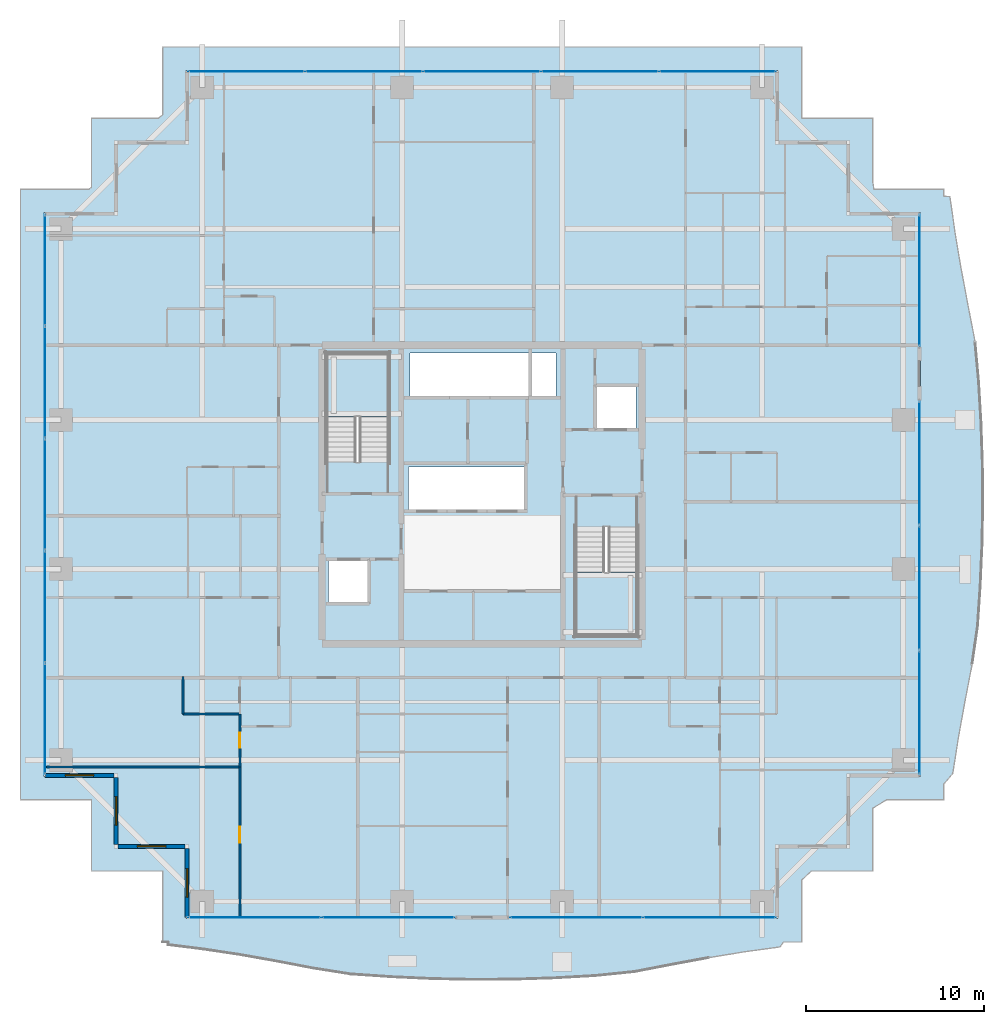
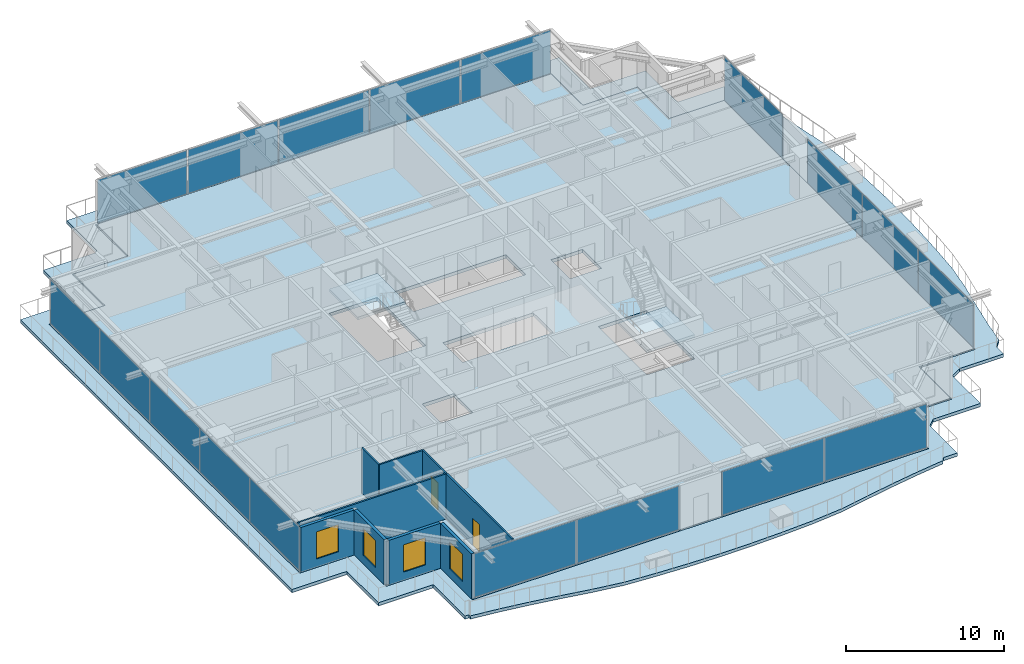
# One storey, part 25 of 36: 18 plates, 9 walls, 4 slabs, 4 windows, 2 doors, 6 openings, 8 elements without a shape of their own.
"""IFC4 building model written with IfcOpenShell, lengths in metres."""

import ifcopenshell
import ifcopenshell.guid

model = None  # the IFC model being written
_history = None  # IfcOwnerHistory: only IFC2X3 demands one
_inside = {}  # id of a spatial element -> (the spatial element, [elements in it])
_under = {}  # id of a project, library or spatial element -> (it, [spatial elements below it])
_declared = {}  # id of a project -> (the project, [libraries it declares])
_typed = {}  # id of a type object -> (the type object, [elements of that type])
_made_of = {}  # id of a material, layer set ... -> (it, [elements and type objects made of it])


def new_model(schema):
    """Start an empty IFC model of exactly this schema.

    Asked for "IFC4X3", IfcOpenShell would pick the latest addendum, in which some entities
    have other attributes; the version numbers below select the first issue.
    IFC2X3 requires an IfcOwnerHistory on every rooted entity: one is made here for all.
    """
    global model, _history
    if schema == "IFC4X3":
        model = ifcopenshell.file(schema_version=(4, 3, 0, 0))
    else:
        model = ifcopenshell.file(schema=schema)
    _inside.clear()
    _under.clear()
    _declared.clear()
    _typed.clear()
    _made_of.clear()
    _history = None
    if model.schema == "IFC2X3":
        org = make("IfcOrganization", Name="unknown")
        user = make(
            "IfcPersonAndOrganization",
            ThePerson=make("IfcPerson", FamilyName="unknown"),
            TheOrganization=org,
        )
        app = make(
            "IfcApplication",
            ApplicationDeveloper=org,
            Version="unknown",
            ApplicationFullName="unknown",
            ApplicationIdentifier="unknown",
        )
        _history = make(
            "IfcOwnerHistory",
            OwningUser=user,
            OwningApplication=app,
            ChangeAction="ADDED",
            CreationDate=0,
        )
    return model


def make(cls, **values):
    """One entity of the class cls with the attributes given. An attribute that is None is left unset."""
    return model.create_entity(
        cls, **{name: value for name, value in values.items() if value is not None}
    )


def rooted(cls, **values):
    """An entity with a GlobalId (a new one), such as an element, a storey or a relation."""
    return make(cls, GlobalId=ifcopenshell.guid.new(), OwnerHistory=_history, **values)


def si_unit(unit_type, name, prefix=None):
    """IfcSIUnit, for example si_unit("LENGTHUNIT", "METRE", prefix="MILLI")."""
    return make("IfcSIUnit", UnitType=unit_type, Prefix=prefix, Name=name)


def assignment(units):
    """IfcUnitAssignment: the units of a project."""
    return None if units is None else make("IfcUnitAssignment", Units=units)


def point(xyz):
    """IfcCartesianPoint."""
    return None if xyz is None else make("IfcCartesianPoint", Coordinates=xyz)


def direction(xyz):
    """IfcDirection."""
    return None if xyz is None else make("IfcDirection", DirectionRatios=xyz)


def frame(location, z_axis=None, x_axis=None):
    """IfcAxis2Placement3D, a coordinate frame: its origin and axes. An axis left out is left unset."""
    return make(
        "IfcAxis2Placement3D",
        Location=point(location),
        Axis=direction(z_axis),
        RefDirection=direction(x_axis),
    )


def frame_2d(location, x_axis=None):
    """IfcAxis2Placement2D, a coordinate frame in the plane: its origin and x axis."""
    return make(
        "IfcAxis2Placement2D", Location=point(location), RefDirection=direction(x_axis)
    )


def origin():
    """The frame at (0, 0, 0) with its axes left unset."""
    return frame((0.0, 0.0, 0.0))


def origin_2d():
    """The frame at (0, 0) in the plane with its x axis left unset."""
    return frame_2d((0.0, 0.0))


def place(relative_to, where):
    """IfcLocalPlacement: puts the frame where relative to a parent placement (None: the world)."""
    return make(
        "IfcLocalPlacement", PlacementRelTo=relative_to, RelativePlacement=where
    )


def context(
    kind, dimensions, precision=None, world=None, true_north=None, identifier=None
):
    """IfcGeometricRepresentationContext, for example the 3D "Model" context."""
    return make(
        "IfcGeometricRepresentationContext",
        ContextIdentifier=identifier,
        ContextType=kind,
        CoordinateSpaceDimension=dimensions,
        Precision=precision,
        WorldCoordinateSystem=world,
        TrueNorth=true_north,
    )


def subcontext(parent, identifier, kind, view, scale=None):
    """IfcGeometricRepresentationSubContext, for example "Body" below "Model"."""
    return make(
        "IfcGeometricRepresentationSubContext",
        ContextIdentifier=identifier,
        ContextType=kind,
        ParentContext=parent,
        TargetScale=scale,
        TargetView=view,
    )


def project(units=None, contexts=None):
    """IfcProject with its units and contexts."""
    return rooted(
        "IfcProject",
        Name="project",
        RepresentationContexts=contexts,
        UnitsInContext=assignment(units),
    )


def spatial(cls, under=None, at=None, **own):
    """A site, building, storey or space (cls), placed at a placement, below another one or the project."""
    s = rooted(cls, ObjectPlacement=at, **own)
    if under is not None:
        _under.setdefault(under.id(), (under, []))[1].append(s)
    return s


def polyline(points):
    """IfcPolyline through the points."""
    return make("IfcPolyline", Points=[point(p) for p in points])


def profile(cls, at=None, kind="AREA", **sizes):
    """A parametric profile (cls). Its sizes go by their IFC names, for example OverallWidth=200.0."""
    return make(cls, ProfileType=kind, Position=at, **sizes)


def rectangle(**sizes):
    """IfcRectangleProfileDef."""
    return profile("IfcRectangleProfileDef", **sizes)


def outline(outer, holes=None, kind="AREA"):
    """IfcArbitraryClosedProfileDef: a profile drawn as a closed curve; with holes, ...WithVoids."""
    if holes is None:
        return make("IfcArbitraryClosedProfileDef", ProfileType=kind, OuterCurve=outer)
    return make(
        "IfcArbitraryProfileDefWithVoids",
        ProfileType=kind,
        OuterCurve=outer,
        InnerCurves=holes,
    )


def extrude(swept, where, along, depth):
    """IfcExtrudedAreaSolid: the profile swept, set in the frame where, extruded along a direction by depth."""
    return make(
        "IfcExtrudedAreaSolid",
        SweptArea=swept,
        Position=where,
        ExtrudedDirection=direction(along),
        Depth=depth,
    )


def shape(context_of_items, identifier, shape_type, items):
    """IfcShapeRepresentation: the items that make up one representation, for example the "Body"."""
    return make(
        "IfcShapeRepresentation",
        ContextOfItems=context_of_items,
        RepresentationIdentifier=identifier,
        RepresentationType=shape_type,
        Items=items,
    )


def source(mapping_origin, context_of_items, identifier, shape_type, items):
    """IfcRepresentationMap: a shape defined once, which mapped items show again and again."""
    return make(
        "IfcRepresentationMap",
        MappingOrigin=mapping_origin,
        MappedRepresentation=shape(context_of_items, identifier, shape_type, items),
    )


def transform(
    local_origin,
    x_axis=None,
    y_axis=None,
    z_axis=None,
    scale=None,
    scale2=None,
    scale3=None,
    uniform=True,
):
    """IfcCartesianTransformationOperator3D, or its non-uniform kind. x_axis, y_axis, z_axis: its Axis1, 2, 3."""
    if uniform:
        return make(
            "IfcCartesianTransformationOperator3D",
            Axis1=direction(x_axis),
            Axis2=direction(y_axis),
            LocalOrigin=point(local_origin),
            Scale=scale,
            Axis3=direction(z_axis),
        )
    return make(
        "IfcCartesianTransformationOperator3DnonUniform",
        Axis1=direction(x_axis),
        Axis2=direction(y_axis),
        LocalOrigin=point(local_origin),
        Scale=scale,
        Axis3=direction(z_axis),
        Scale2=scale2,
        Scale3=scale3,
    )


def mapped(mapping_source, mapping_target):
    """IfcMappedItem: shows the shape of a source again, moved by a transform."""
    return make(
        "IfcMappedItem", MappingSource=mapping_source, MappingTarget=mapping_target
    )


def material(Name=None, Category=None):
    """IfcMaterial."""
    return make("IfcMaterial", Name=Name, Category=Category)


def layer(
    of_material, thickness, ventilated=None, Name=None, Category=None, Priority=None
):
    """IfcMaterialLayer: one layer of a wall or slab, of a material (None: an air gap)."""
    return make(
        "IfcMaterialLayer",
        Material=of_material,
        LayerThickness=thickness,
        IsVentilated=ventilated,
        Name=Name,
        Category=Category,
        Priority=Priority,
    )


def layer_set(layers, Name=None):
    """IfcMaterialLayerSet."""
    return make("IfcMaterialLayerSet", MaterialLayers=layers, LayerSetName=Name)


def made_of(thing, what):
    """Note that an element or type object is made of a material, layer set ...; save() writes the relation."""
    if what is not None:
        _made_of.setdefault(what.id(), (what, []))[1].append(thing)
    return thing


def type_object(cls, material=None, **own):
    """A type object (cls), such as IfcWallType, which elements share."""
    return made_of(rooted(cls, **own), material)


def element(
    cls,
    number,
    at=None,
    inside=None,
    cuts=None,
    type_object=None,
    material=None,
    context=None,
    identifier="Body",
    shape_type=None,
    held_by="IfcProductDefinitionShape",
    body=None,
    shapes=None,
    **own,
):
    """One element of the class cls, such as IfcWall. Its Tag is "e" and its number.

    at: its placement. inside: the storey or other place that contains it. cuts: it is an
    opening in that element (IfcRelVoidsElement). A single representation is given by context,
    identifier, shape_type and body (its items); several are given by shapes. held_by: the class
    of the entity that holds the representations. save() writes the other relations.
    """
    e = rooted(cls, Tag="e%d" % number, ObjectPlacement=at, **own)
    if body is not None:
        shapes = [shape(context, identifier, shape_type, body)]
    if shapes is not None:
        e.Representation = make(held_by, Representations=shapes)
    if inside is not None:
        _inside.setdefault(inside.id(), (inside, []))[1].append(e)
    if cuts is not None:
        rooted(
            "IfcRelVoidsElement", RelatingBuildingElement=cuts, RelatedOpeningElement=e
        )
    if type_object is not None:
        _typed.setdefault(type_object.id(), (type_object, []))[1].append(e)
    return made_of(e, material)


def fill(opening, filler):
    """IfcRelFillsElement: the door or window that sits in an opening."""
    return rooted(
        "IfcRelFillsElement",
        RelatingOpeningElement=opening,
        RelatedBuildingElement=filler,
    )


def aggregate(whole, parts):
    """IfcRelAggregates: a whole, such as a stair, and the parts it consists of."""
    return rooted("IfcRelAggregates", RelatingObject=whole, RelatedObjects=parts)


def save(model, path):
    """Write the relations noted so far, then the file.

    IfcRelAggregates (storeys below a building ...), IfcRelContainedInSpatialStructure (elements
    in a storey), IfcRelDefinesByType, IfcRelAssociatesMaterial and IfcRelDeclares: one each for
    every whole, place, type object, material and project.
    """
    for whole, parts in _under.values():
        aggregate(whole, parts)
    for where, things in _inside.values():
        rooted(
            "IfcRelContainedInSpatialStructure",
            RelatedElements=things,
            RelatingStructure=where,
        )
    for kind, things in _typed.values():
        rooted("IfcRelDefinesByType", RelatedObjects=things, RelatingType=kind)
    for what, things in _made_of.values():
        rooted("IfcRelAssociatesMaterial", RelatedObjects=things, RelatingMaterial=what)
    for by, libraries in _declared.values():
        rooted("IfcRelDeclares", RelatingContext=by, RelatedDefinitions=libraries)
    model.write(path)


model = new_model("IFC4")

# Units and contexts
model_context = context("Model", 3, precision=1e-05, world=origin(), true_north=direction((0.0, 1.0)))
body_context = subcontext(model_context, "Body", "Model", "MODEL_VIEW")
ifc_project = project(units=[si_unit("LENGTHUNIT", "METRE"), si_unit("AREAUNIT", "SQUARE_METRE"), si_unit("VOLUMEUNIT", "CUBIC_METRE"), si_unit("PLANEANGLEUNIT", "RADIAN"), si_unit("MASSUNIT", "GRAM", prefix="KILO")], contexts=[model_context])

# Site, building, storey
site_placement = place(None, origin())
site = spatial("IfcSite", under=ifc_project, at=site_placement, CompositionType="ELEMENT")
building_placement = place(site_placement, origin())
building = spatial("IfcBuilding", under=site, at=building_placement, Name="Serunith Strait Residences", CompositionType="ELEMENT")
storey_placement = place(building_placement, frame((0.0, 0.0, 131.39990234375)))
storey = spatial("IfcBuildingStorey", under=building, at=storey_placement, Name="L32", CompositionType="ELEMENT", Elevation=131.39990234375)

# Slab
ifc_material_1 = material(Name="Concrete C50/60", Category="concrete")
ifc_layer_1 = layer(ifc_material_1, 0.239990234375, Name="Concrete C50/60")
ifc_layer_set_1 = layer_set([ifc_layer_1], Name="Concrete C50/60")
slab_type_1 = type_object("IfcSlabType", Name="SLB-BALC-240", PredefinedType="FLOOR", material=ifc_layer_set_1)
slab_1_placement = place(storey_placement, frame((0.0, 0.0, -0.289794921875)))
element("IfcSlab", 1, at=slab_1_placement, inside=storey, type_object=slab_type_1, Name="L32 Planted Vertical-Forest Balcony Slab", PredefinedType="FLOOR", context=body_context, shape_type="SweptSolid", body=[
    extrude(outline(polyline([(14.419921875, 0.02001953125), (14.419921875, 4.02001953125), (10.419921875, 4.02001953125), (10.419921875, 8.02001953125), (6.419921875, 8.02001953125), (6.419921875, 42.3798828125), (10.284912109375, 42.3798828125), (10.419921875, 42.47802734375), (10.419921875, 46.3798828125), (14.1982421875, 46.3798828125), (14.419921875, 46.55908203125), (14.419921875, 50.3798828125), (50.3798828125, 50.3798828125), (50.3798828125, 46.3798828125), (54.3798828125, 46.3798828125), (54.3798828125, 42.786376953125), (54.440673828125, 42.3798828125), (58.3798828125, 42.3798828125), (58.3798828125, 41.981689453125), (58.720703125, 41.96240234375), (59.00439453125, 39.962158203125), (59.34423828125, 37.94189453125), (59.730712890625, 35.884033203125), (60.139892578125, 33.77001953125), (60.34228515625, 31.5419921875), (60.475341796875, 29.2705078125), (60.5556640625, 26.97412109375), (60.575439453125, 24.66552734375), (60.532470703125, 22.360107421875), (60.431396484375, 20.072265625), (60.281494140625, 17.81396484375), (59.966796875, 15.6376953125), (59.563720703125, 13.550537109375), (59.195556640625, 11.51171875), (58.879638671875, 9.50244140625), (58.3798828125, 8.919921875), (58.3798828125, 8.02001953125), (55.162841796875, 8.02001953125), (54.3798828125, 7.553955078125), (54.3798828125, 4.02001953125), (50.922119140625, 4.02001953125), (50.3798828125, 3.5), (50.3798828125, 0.02001953125), (49.3544921875, 0.02001953125), (49.156494140625, -0.255859375), (47.156982421875, -0.52978515625), (45.138916015625, -0.86181640625), (43.084716796875, -1.242919921875), (40.97412109375, -1.650390625), (38.751953125, -1.876220703125), (36.476806640625, -2.00439453125), (34.176513671875, -2.079345703125), (31.86474609375, -2.09326171875), (29.55712890625, -2.044921875), (27.268798828125, -1.939208984375), (25.010986328125, -1.7861328125), (22.846923828125, -1.44384765625), (20.76611328125, -1.044921875), (18.731689453125, -0.686279296875), (16.724365234375, -0.3828125), (14.728271484375, -0.13671875), (14.7294921875, 0.02001953125), (14.419921875, 0.02001953125)]), holes=[polyline([(49.054931640625, 1.344970703125), (49.054931640625, 5.344970703125), (53.054931640625, 5.344970703125), (53.054931640625, 9.344970703125), (57.054931640625, 9.344970703125), (57.054931640625, 41.054931640625), (53.054931640625, 41.054931640625), (53.054931640625, 45.054931640625), (49.054931640625, 45.054931640625), (49.054931640625, 49.054931640625), (15.7451171875, 49.054931640625), (15.7451171875, 45.054931640625), (11.7451171875, 45.054931640625), (11.7451171875, 41.054931640625), (7.7451171875, 41.054931640625), (7.7451171875, 9.344970703125), (11.7451171875, 9.344970703125), (11.7451171875, 5.344970703125), (15.7451171875, 5.344970703125), (15.7451171875, 1.344970703125), (49.054931640625, 1.344970703125)])]), origin(), (0.0, 0.0, 1.0), 0.239990234375),
])

# Stair, slab
stair_type_1 = type_object("IfcStairType", Name="STR-CORE-1", PredefinedType="HALF_TURN_STAIR", material=ifc_material_1)
stair_1_placement = place(storey_placement, origin())
stair_1 = element("IfcStair", 2, at=stair_1_placement, inside=storey, type_object=stair_type_1, Name="L32 Protected Escape Stair ST-1", PredefinedType="HALF_TURN_STAIR")
ifc_layer_2 = layer(ifc_material_1, 0.199951171875, Name="Concrete C50/60")
ifc_layer_set_2 = layer_set([ifc_layer_2], Name="Concrete C50/60")
slab_type_2 = type_object("IfcSlabType", Name="SLB-LAND-200", PredefinedType="LANDING", material=ifc_layer_set_2)
slab_2_placement = place(storey_placement, frame((0.0, 0.0, 1.675048828125)))
slab_2 = element("IfcSlab", 3, at=slab_2_placement, type_object=slab_type_2, Name="ST-1 landing 1", PredefinedType="LANDING", context=body_context, shape_type="SweptSolid", body=[
    extrude(outline(polyline([(27.14990234375, 29.550048828125), (27.14990234375, 33.14990234375), (23.64990234375, 33.14990234375), (23.64990234375, 29.550048828125), (27.14990234375, 29.550048828125)])), origin(), (0.0, 0.0, 1.0), 0.199951171875),
])
aggregate(stair_1, [slab_2])

stair_type_2 = type_object("IfcStairType", Name="STR-CORE-2", PredefinedType="HALF_TURN_STAIR", material=ifc_material_1)
stair_2_placement = place(storey_placement, origin())
stair_2 = element("IfcStair", 4, at=stair_2_placement, inside=storey, type_object=stair_type_2, Name="L32 Protected Escape Stair ST-2", PredefinedType="HALF_TURN_STAIR")
slab_3_placement = place(storey_placement, frame((0.0, 0.0, 1.675048828125)))
slab_3 = element("IfcSlab", 5, at=slab_3_placement, type_object=slab_type_2, Name="ST-2 landing 1", PredefinedType="LANDING", context=body_context, shape_type="SweptSolid", body=[
    extrude(outline(polyline([(37.64990234375, 20.85009765625), (37.64990234375, 17.25), (41.14990234375, 17.25), (41.14990234375, 20.85009765625), (37.64990234375, 20.85009765625)])), origin(), (0.0, 0.0, 1.0), 0.199951171875),
])
aggregate(stair_2, [slab_3])

# Slab
ifc_material_2 = material(Name="Concrete C60/75", Category="concrete")
ifc_layer_3 = layer(ifc_material_2, 0.260009765625, Name="Concrete C60/75")
ifc_layer_set_3 = layer_set([ifc_layer_3], Name="Concrete C60/75")
slab_type_3 = type_object("IfcSlabType", Name="SLB-TWR-260-Z2", PredefinedType="FLOOR", material=ifc_layer_set_3)
slab_4_placement = place(storey_placement, frame((0.0, 0.0, -0.260009765625)))
element("IfcSlab", 6, at=slab_4_placement, inside=storey, type_object=slab_type_3, Name="L32 Structural Floor Plate", PredefinedType="FLOOR", context=body_context, shape_type="SweptSolid", body=[
    extrude(outline(polyline([(15.800048828125, 5.39990234375), (11.800048828125, 5.39990234375), (11.800048828125, 9.39990234375), (7.800048828125, 9.39990234375), (7.800048828125, 41.0), (11.800048828125, 41.0), (11.800048828125, 45.0), (15.800048828125, 45.0), (15.800048828125, 49.0), (49.0, 49.0), (49.0, 45.0), (53.0, 45.0), (53.0, 41.0), (57.0, 41.0), (57.0, 9.39990234375), (53.0, 9.39990234375), (53.0, 5.39990234375), (49.0, 5.39990234375), (49.0, 1.39990234375), (15.800048828125, 1.39990234375), (15.800048828125, 5.39990234375)]), holes=[polyline([(41.14990234375, 23.3701171875), (37.64990234375, 23.3701171875), (37.64990234375, 17.25), (41.14990234375, 17.25), (41.14990234375, 23.3701171875)]), polyline([(38.75, 31.25), (38.75, 28.85009765625), (41.050048828125, 28.85009765625), (41.050048828125, 31.25), (38.75, 31.25)]), polyline([(36.550048828125, 33.14990234375), (28.35009765625, 33.14990234375), (28.35009765625, 30.64990234375), (36.550048828125, 30.64990234375), (36.550048828125, 33.14990234375)]), polyline([(34.85009765625, 26.75), (28.25, 26.75), (28.25, 24.25), (34.85009765625, 24.25), (34.85009765625, 26.75)]), polyline([(23.64990234375, 33.14990234375), (23.64990234375, 27.030029296875), (27.14990234375, 27.030029296875), (27.14990234375, 33.14990234375), (23.64990234375, 33.14990234375)]), polyline([(26.050048828125, 21.550048828125), (23.75, 21.550048828125), (23.75, 19.14990234375), (26.050048828125, 19.14990234375), (26.050048828125, 21.550048828125)])]), origin(), (0.0, 0.0, 1.0), 0.260009765625),
])

# Curtain wall, plates
ifc_material_3 = material(Name="Pale-Champagne Anodised Aluminium", Category="aluminium")
ifc_layer_4 = layer(ifc_material_3, 0.199951171875, Name="Pale-Champagne Anodised Aluminium")
ifc_layer_set_4 = layer_set([ifc_layer_4], Name="Pale-Champagne Anodised Aluminium")
curtain_wall_type = type_object("IfcCurtainWallType", Name="CW-SYS2", PredefinedType="NOTDEFINED", material=ifc_layer_set_4)
curtain_wall_1_placement = place(storey_placement, origin())
curtain_wall_1 = element("IfcCurtainWall", 7, at=curtain_wall_1_placement, inside=storey, type_object=curtain_wall_type, Name="L32 N Unitised Fritted Curtain Wall", PredefinedType="NOTDEFINED")
ifc_material_4 = material(Name="Diagonal-Frit Operable Low-E Glazing 30mm", Category="glass")
ifc_layer_5 = layer(ifc_material_4, 0.030029296875, Name="Diagonal-Frit Operable Low-E Glazing 30mm")
ifc_layer_set_5 = layer_set([ifc_layer_5], Name="Diagonal-Frit Operable Low-E Glazing 30mm")
plate_type = type_object("IfcPlateType", Name="CW-SYS2-PNL", PredefinedType="CURTAIN_PANEL", material=ifc_layer_set_5)
shared_shape_1 = source(origin(), body_context, "Body", "SweptSolid", [
    extrude(rectangle(XDim=6.534912109375, YDim=0.030029296875, at=origin_2d()), origin(), (0.0, 0.0, 1.0), 3.35498046875),
])
plate_1_placement = place(storey_placement, frame((45.66259765625, 49.0, 0.06005859375), z_axis=(0.0, 0.0, 1.0), x_axis=(-1.0, 0.0, 0.0)))
plate_1 = element("IfcPlate", 8, at=plate_1_placement, type_object=plate_type, Name="CW-2 panel 1.1", PredefinedType="CURTAIN_PANEL", context=body_context, shape_type="MappedRepresentation", body=[
    mapped(shared_shape_1, transform((0.0, 0.0, 0.0), scale=1.0)),
])
plate_2_placement = place(storey_placement, frame((19.137451171875, 49.0, 0.06005859375), z_axis=(0.0, 0.0, 1.0), x_axis=(-1.0, 0.0, 0.0)))
plate_2 = element("IfcPlate", 9, at=plate_2_placement, type_object=plate_type, Name="CW-2 panel 5.1", PredefinedType="CURTAIN_PANEL", context=body_context, shape_type="MappedRepresentation", body=[
    mapped(shared_shape_1, transform((0.0, 0.0, 0.0), scale=1.0)),
])
shared_shape_2 = source(origin(), body_context, "Body", "SweptSolid", [
    extrude(rectangle(XDim=6.570068359375, YDim=0.030029296875, at=origin_2d()), origin(), (0.0, 0.0, 1.0), 3.35498046875),
])
plate_3_placement = place(storey_placement, frame((39.0400390625, 49.0, 0.06005859375), z_axis=(0.0, 0.0, 1.0), x_axis=(-1.0, 0.0, 0.0)))
plate_3 = element("IfcPlate", 10, at=plate_3_placement, type_object=plate_type, Name="CW-2 panel 2.1", PredefinedType="CURTAIN_PANEL", context=body_context, shape_type="MappedRepresentation", body=[
    mapped(shared_shape_2, transform((0.0, 0.0, 0.0), scale=1.0)),
])
plate_4_placement = place(storey_placement, frame((32.39990234375, 49.0, 0.06005859375), z_axis=(0.0, 0.0, 1.0), x_axis=(-1.0, 0.0, 0.0)))
plate_4 = element("IfcPlate", 11, at=plate_4_placement, type_object=plate_type, Name="CW-2 panel 3.1", PredefinedType="CURTAIN_PANEL", context=body_context, shape_type="MappedRepresentation", body=[
    mapped(shared_shape_2, transform((0.0, 0.0, 0.0), scale=1.0)),
])
plate_5_placement = place(storey_placement, frame((25.760009765625, 49.0, 0.06005859375), z_axis=(0.0, 0.0, 1.0), x_axis=(-1.0, 0.0, 0.0)))
plate_5 = element("IfcPlate", 12, at=plate_5_placement, type_object=plate_type, Name="CW-2 panel 4.1", PredefinedType="CURTAIN_PANEL", context=body_context, shape_type="MappedRepresentation", body=[
    mapped(shared_shape_2, transform((0.0, 0.0, 0.0), scale=1.0)),
])
aggregate(curtain_wall_1, [plate_1, plate_3, plate_4, plate_5, plate_2])

curtain_wall_2_placement = place(storey_placement, origin())
curtain_wall_2 = element("IfcCurtainWall", 13, at=curtain_wall_2_placement, inside=storey, type_object=curtain_wall_type, Name="L32 W Unitised Fritted Curtain Wall", PredefinedType="NOTDEFINED")
shared_shape_3 = source(origin(), body_context, "Body", "SweptSolid", [
    extrude(rectangle(XDim=6.215087890625, YDim=0.030029296875, at=origin_2d()), origin(), (0.0, 0.0, 1.0), 3.35498046875),
])
plate_6_placement = place(storey_placement, frame((7.800048828125, 37.822509765625, 0.06005859375), z_axis=(0.0, 0.0, 1.0), x_axis=(0.0, -1.0, 0.0)))
plate_6 = element("IfcPlate", 14, at=plate_6_placement, type_object=plate_type, Name="CW-2 panel 1.1", PredefinedType="CURTAIN_PANEL", context=body_context, shape_type="MappedRepresentation", body=[
    mapped(shared_shape_3, transform((0.0, 0.0, 0.0), scale=1.0)),
])
plate_7_placement = place(storey_placement, frame((7.800048828125, 12.577392578125, 0.06005859375), z_axis=(0.0, 0.0, 1.0), x_axis=(0.0, -1.0, 0.0)))
plate_7 = element("IfcPlate", 15, at=plate_7_placement, type_object=plate_type, Name="CW-2 panel 5.1", PredefinedType="CURTAIN_PANEL", context=body_context, shape_type="MappedRepresentation", body=[
    mapped(shared_shape_3, transform((0.0, 0.0, 0.0), scale=1.0)),
])
shared_shape_4 = source(origin(), body_context, "Body", "SweptSolid", [
    extrude(rectangle(XDim=6.25, YDim=0.030029296875, at=origin_2d()), origin(), (0.0, 0.0, 1.0), 3.35498046875),
])
plate_8_placement = place(storey_placement, frame((7.800048828125, 31.52001953125, 0.06005859375), z_axis=(0.0, 0.0, 1.0), x_axis=(0.0, -1.0, 0.0)))
plate_8 = element("IfcPlate", 16, at=plate_8_placement, type_object=plate_type, Name="CW-2 panel 2.1", PredefinedType="CURTAIN_PANEL", context=body_context, shape_type="MappedRepresentation", body=[
    mapped(shared_shape_4, transform((0.0, 0.0, 0.0), scale=1.0)),
])
plate_9_placement = place(storey_placement, frame((7.800048828125, 25.199951171875, 0.06005859375), z_axis=(0.0, 0.0, 1.0), x_axis=(0.0, -1.0, 0.0)))
plate_9 = element("IfcPlate", 17, at=plate_9_placement, type_object=plate_type, Name="CW-2 panel 3.1", PredefinedType="CURTAIN_PANEL", context=body_context, shape_type="MappedRepresentation", body=[
    mapped(shared_shape_4, transform((0.0, 0.0, 0.0), scale=1.0)),
])
plate_10_placement = place(storey_placement, frame((7.800048828125, 18.8798828125, 0.06005859375), z_axis=(0.0, 0.0, 1.0), x_axis=(0.0, -1.0, 0.0)))
plate_10 = element("IfcPlate", 18, at=plate_10_placement, type_object=plate_type, Name="CW-2 panel 4.1", PredefinedType="CURTAIN_PANEL", context=body_context, shape_type="MappedRepresentation", body=[
    mapped(shared_shape_4, transform((0.0, 0.0, 0.0), scale=1.0)),
])
aggregate(curtain_wall_2, [plate_6, plate_8, plate_9, plate_10, plate_7])

# Curtain wall, plate
curtain_wall_3_placement = place(storey_placement, origin())
curtain_wall_3 = element("IfcCurtainWall", 19, at=curtain_wall_3_placement, inside=storey, type_object=curtain_wall_type, Name="L32 E Unitised Fritted Curtain Wall", PredefinedType="NOTDEFINED")
shared_shape_5 = source(origin(), body_context, "Body", "SweptSolid", [
    extrude(rectangle(XDim=7.360107421875, YDim=0.030029296875, at=origin_2d()), origin(), (0.0, 0.0, 1.0), 3.35498046875),
])
plate_11_placement = place(storey_placement, frame((57.0, 37.25, 0.06005859375), z_axis=(0.0, 0.0, 1.0), x_axis=(0.0, 1.0, 0.0)))
plate_11 = element("IfcPlate", 20, at=plate_11_placement, type_object=plate_type, Name="CW-2 panel 1.1", PredefinedType="CURTAIN_PANEL", context=body_context, shape_type="MappedRepresentation", body=[
    mapped(shared_shape_5, transform((0.0, 0.0, 0.0), scale=1.0)),
])
aggregate(curtain_wall_3, [plate_11])

# Curtain wall, plates
curtain_wall_4_placement = place(storey_placement, origin())
curtain_wall_4 = element("IfcCurtainWall", 21, at=curtain_wall_4_placement, inside=storey, type_object=curtain_wall_type, Name="L32 E Unitised Fritted Curtain Wall", PredefinedType="NOTDEFINED")
shared_shape_6 = source(origin(), body_context, "Body", "SweptSolid", [
    extrude(rectangle(XDim=6.92822265625, YDim=0.030029296875, at=origin_2d()), origin(), (0.0, 0.0, 1.0), 3.35498046875),
])
plate_12_placement = place(storey_placement, frame((57.0, 12.93408203125, 0.06005859375), z_axis=(0.0, 0.0, 1.0), x_axis=(0.0, 1.0, 0.0)))
plate_12 = element("IfcPlate", 22, at=plate_12_placement, type_object=plate_type, Name="CW-2 panel 1.1", PredefinedType="CURTAIN_PANEL", context=body_context, shape_type="MappedRepresentation", body=[
    mapped(shared_shape_6, transform((0.0, 0.0, 0.0), scale=1.0)),
])
plate_13_placement = place(storey_placement, frame((57.0, 26.9658203125, 0.06005859375), z_axis=(0.0, 0.0, 1.0), x_axis=(0.0, 1.0, 0.0)))
plate_13 = element("IfcPlate", 23, at=plate_13_placement, type_object=plate_type, Name="CW-2 panel 3.1", PredefinedType="CURTAIN_PANEL", context=body_context, shape_type="MappedRepresentation", body=[
    mapped(shared_shape_6, transform((0.0, 0.0, 0.0), scale=1.0)),
])
shared_shape_7 = source(origin(), body_context, "Body", "SweptSolid", [
    extrude(rectangle(XDim=6.96337890625, YDim=0.030029296875, at=origin_2d()), origin(), (0.0, 0.0, 1.0), 3.35498046875),
])
plate_14_placement = place(storey_placement, frame((57.0, 19.949951171875, 0.06005859375), z_axis=(0.0, 0.0, 1.0), x_axis=(0.0, 1.0, 0.0)))
plate_14 = element("IfcPlate", 24, at=plate_14_placement, type_object=plate_type, Name="CW-2 panel 2.1", PredefinedType="CURTAIN_PANEL", context=body_context, shape_type="MappedRepresentation", body=[
    mapped(shared_shape_7, transform((0.0, 0.0, 0.0), scale=1.0)),
])
aggregate(curtain_wall_4, [plate_12, plate_14, plate_13])

curtain_wall_5_placement = place(storey_placement, origin())
curtain_wall_5 = element("IfcCurtainWall", 25, at=curtain_wall_5_placement, inside=storey, type_object=curtain_wall_type, Name="L32 S Unitised Fritted Curtain Wall", PredefinedType="NOTDEFINED")
shared_shape_8 = source(origin(), body_context, "Body", "SweptSolid", [
    extrude(rectangle(XDim=7.445068359375, YDim=0.030029296875, at=origin_2d()), origin(), (0.0, 0.0, 1.0), 3.35498046875),
])
plate_15_placement = place(storey_placement, frame((19.592529296875, 1.39990234375, 0.06005859375), z_axis=(0.0, 0.0, 1.0), x_axis=(1.0, 0.0, 0.0)))
plate_15 = element("IfcPlate", 26, at=plate_15_placement, type_object=plate_type, Name="CW-2 panel 1.1", PredefinedType="CURTAIN_PANEL", context=body_context, shape_type="MappedRepresentation", body=[
    mapped(shared_shape_8, transform((0.0, 0.0, 0.0), scale=1.0)),
])
plate_16_placement = place(storey_placement, frame((27.107421875, 1.39990234375, 0.06005859375), z_axis=(0.0, 0.0, 1.0), x_axis=(1.0, 0.0, 0.0)))
plate_16 = element("IfcPlate", 27, at=plate_16_placement, type_object=plate_type, Name="CW-2 panel 2.1", PredefinedType="CURTAIN_PANEL", context=body_context, shape_type="MappedRepresentation", body=[
    mapped(shared_shape_8, transform((0.0, 0.0, 0.0), scale=1.0)),
])
aggregate(curtain_wall_5, [plate_15, plate_16])

curtain_wall_6_placement = place(storey_placement, origin())
curtain_wall_6 = element("IfcCurtainWall", 28, at=curtain_wall_6_placement, inside=storey, type_object=curtain_wall_type, Name="L32 S Unitised Fritted Curtain Wall", PredefinedType="NOTDEFINED")
plate_17_placement = place(storey_placement, frame((37.6923828125, 1.39990234375, 0.06005859375), z_axis=(0.0, 0.0, 1.0), x_axis=(1.0, 0.0, 0.0)))
plate_17 = element("IfcPlate", 29, at=plate_17_placement, type_object=plate_type, Name="CW-2 panel 1.1", PredefinedType="CURTAIN_PANEL", context=body_context, shape_type="MappedRepresentation", body=[
    mapped(shared_shape_8, transform((0.0, 0.0, 0.0), scale=1.0)),
])
plate_18_placement = place(storey_placement, frame((45.20751953125, 1.39990234375, 0.06005859375), z_axis=(0.0, 0.0, 1.0), x_axis=(1.0, 0.0, 0.0)))
plate_18 = element("IfcPlate", 30, at=plate_18_placement, type_object=plate_type, Name="CW-2 panel 2.1", PredefinedType="CURTAIN_PANEL", context=body_context, shape_type="MappedRepresentation", body=[
    mapped(shared_shape_8, transform((0.0, 0.0, 0.0), scale=1.0)),
])
aggregate(curtain_wall_6, [plate_17, plate_18])

# Wall, opening, window
ifc_material_5 = material(Name="Pale-Champagne Aluminium Insulated Panel", Category="aluminium")
ifc_layer_6 = layer(ifc_material_5, 0.219970703125, Name="Pale-Champagne Aluminium Insulated Panel")
ifc_layer_set_6 = layer_set([ifc_layer_6], Name="Pale-Champagne Aluminium Insulated Panel")
wall_type_1 = type_object("IfcWallType", Name="EW-ALUM-220", PredefinedType="ELEMENTEDWALL", material=ifc_layer_set_6)
wall_1_placement = place(storey_placement, frame((7.800048828125, 9.39990234375, 0.0), z_axis=(0.0, 0.0, 1.0), x_axis=(1.0, 0.0, 0.0)))
wall_1 = element("IfcWall", 31, at=wall_1_placement, inside=storey, type_object=wall_type_1, Name="L32 Girih Serrated Corner Wall 17", PredefinedType="ELEMENTEDWALL", context=body_context, shape_type="SweptSolid", body=[
    extrude(rectangle(XDim=3.889892578125, YDim=0.219970703125, at=frame_2d((1.94482421875, 0.0))), origin(), (0.0, 0.0, 1.0), 3.47509765625),
])
opening_1_placement = place(wall_1_placement, frame((1.14501953125, 0.0, 0.64990234375)))
opening_1 = element("IfcOpeningElement", 32, at=opening_1_placement, cuts=wall_1, Name="Opening W-02", PredefinedType="OPENING", context=body_context, shape_type="SweptSolid", body=[
    extrude(rectangle(XDim=1.60009765625, YDim=2.10009765625, at=frame_2d((0.800048828125, 1.050048828125))), frame((0.0, 0.1201171875, 0.0), z_axis=(0.0, -1.0, 0.0), x_axis=(1.0, 0.0, 0.0)), (0.0, 0.0, 1.0), 0.239990234375),
])
ifc_material_6 = material(Name="Ceramic-Fritted Operable Aluminium Window Glass", Category="aluminium")
window_type = type_object("IfcWindowType", Name="WIN-C2", PartitioningType="DOUBLE_PANEL_VERTICAL", PredefinedType="WINDOW", material=ifc_material_6)
shared_shape_9 = source(origin(), body_context, "Body", "SweptSolid", [
    extrude(rectangle(XDim=1.60009765625, YDim=2.10009765625, at=frame_2d((0.800048828125, 1.050048828125))), frame((0.0, 0.030029296875, 0.0), z_axis=(0.0, -1.0, 0.0), x_axis=(1.0, 0.0, 0.0)), (0.0, 0.0, 1.0), 0.06005859375),
])
window_1_placement = place(opening_1_placement, origin())
window_1 = element("IfcWindow", 33, at=window_1_placement, inside=storey, type_object=window_type, Name="L32 Corner Operable Fritted Window 17", OverallHeight=2.10009765625, OverallWidth=1.60009765625, PartitioningType="SINGLE_PANEL", PredefinedType="WINDOW", context=body_context, shape_type="MappedRepresentation", body=[
    mapped(shared_shape_9, transform((0.0, 0.0, 0.0), scale=1.0)),
])
fill(opening_1, window_1)

wall_2_placement = place(storey_placement, frame((11.800048828125, 9.2900390625, 0.0), z_axis=(0.0, 0.0, 1.0), x_axis=(0.0, -1.0, 0.0)))
wall_2 = element("IfcWall", 34, at=wall_2_placement, inside=storey, type_object=wall_type_1, Name="L32 Girih Serrated Corner Wall 18", PredefinedType="ELEMENTEDWALL", context=body_context, shape_type="SweptSolid", body=[
    extrude(rectangle(XDim=3.780029296875, YDim=0.219970703125, at=frame_2d((1.89013671875, 0.0))), origin(), (0.0, 0.0, 1.0), 3.47509765625),
])
opening_2_placement = place(wall_2_placement, frame((1.090087890625, 0.0, 0.64990234375)))
opening_2 = element("IfcOpeningElement", 35, at=opening_2_placement, cuts=wall_2, Name="Opening W-02", PredefinedType="OPENING", context=body_context, shape_type="SweptSolid", body=[
    extrude(rectangle(XDim=1.60009765625, YDim=2.10009765625, at=frame_2d((0.800048828125, 1.050048828125))), frame((0.0, 0.1201171875, 0.0), z_axis=(0.0, -1.0, 0.0), x_axis=(1.0, 0.0, 0.0)), (0.0, 0.0, 1.0), 0.239990234375),
])
window_2_placement = place(opening_2_placement, origin())
window_2 = element("IfcWindow", 36, at=window_2_placement, inside=storey, type_object=window_type, Name="L32 Corner Operable Fritted Window 18", OverallHeight=2.10009765625, OverallWidth=1.60009765625, PartitioningType="SINGLE_PANEL", PredefinedType="WINDOW", context=body_context, shape_type="MappedRepresentation", body=[
    mapped(shared_shape_9, transform((0.0, 0.0, 0.0), scale=1.0)),
])
fill(opening_2, window_2)

wall_3_placement = place(storey_placement, frame((11.909912109375, 5.39990234375, 0.0), z_axis=(0.0, 0.0, 1.0), x_axis=(1.0, 0.0, 0.0)))
wall_3 = element("IfcWall", 37, at=wall_3_placement, inside=storey, type_object=wall_type_1, Name="L32 Girih Serrated Corner Wall 19", PredefinedType="ELEMENTEDWALL", context=body_context, shape_type="SweptSolid", body=[
    extrude(rectangle(XDim=3.780029296875, YDim=0.219970703125, at=frame_2d((1.89013671875, 0.0))), origin(), (0.0, 0.0, 1.0), 3.47509765625),
])
opening_3_placement = place(wall_3_placement, frame((1.090087890625, 0.0, 0.64990234375)))
opening_3 = element("IfcOpeningElement", 38, at=opening_3_placement, cuts=wall_3, Name="Opening W-02", PredefinedType="OPENING", context=body_context, shape_type="SweptSolid", body=[
    extrude(rectangle(XDim=1.60009765625, YDim=2.10009765625, at=frame_2d((0.800048828125, 1.050048828125))), frame((0.0, 0.1201171875, 0.0), z_axis=(0.0, -1.0, 0.0), x_axis=(1.0, 0.0, 0.0)), (0.0, 0.0, 1.0), 0.239990234375),
])
window_3_placement = place(opening_3_placement, origin())
window_3 = element("IfcWindow", 39, at=window_3_placement, inside=storey, type_object=window_type, Name="L32 Corner Operable Fritted Window 19", OverallHeight=2.10009765625, OverallWidth=1.60009765625, PartitioningType="SINGLE_PANEL", PredefinedType="WINDOW", context=body_context, shape_type="MappedRepresentation", body=[
    mapped(shared_shape_9, transform((0.0, 0.0, 0.0), scale=1.0)),
])
fill(opening_3, window_3)

wall_4_placement = place(storey_placement, frame((15.800048828125, 5.2900390625, 0.0), z_axis=(0.0, 0.0, 1.0), x_axis=(0.0, -1.0, 0.0)))
wall_4 = element("IfcWall", 40, at=wall_4_placement, inside=storey, type_object=wall_type_1, Name="L32 Girih Serrated Corner Wall 20", PredefinedType="ELEMENTEDWALL", context=body_context, shape_type="SweptSolid", body=[
    extrude(rectangle(XDim=3.89013671875, YDim=0.219970703125, at=frame_2d((1.945068359375, 0.0))), origin(), (0.0, 0.0, 1.0), 3.47509765625),
])
opening_4_placement = place(wall_4_placement, frame((1.14501953125, 0.0, 0.64990234375)))
opening_4 = element("IfcOpeningElement", 41, at=opening_4_placement, cuts=wall_4, Name="Opening W-02", PredefinedType="OPENING", context=body_context, shape_type="SweptSolid", body=[
    extrude(rectangle(XDim=1.60009765625, YDim=2.10009765625, at=frame_2d((0.800048828125, 1.050048828125))), frame((0.0, 0.1201171875, 0.0), z_axis=(0.0, -1.0, 0.0), x_axis=(1.0, 0.0, 0.0)), (0.0, 0.0, 1.0), 0.239990234375),
])
window_4_placement = place(opening_4_placement, origin())
window_4 = element("IfcWindow", 42, at=window_4_placement, inside=storey, type_object=window_type, Name="L32 Corner Operable Fritted Window 20", OverallHeight=2.10009765625, OverallWidth=1.60009765625, PartitioningType="SINGLE_PANEL", PredefinedType="WINDOW", context=body_context, shape_type="MappedRepresentation", body=[
    mapped(shared_shape_9, transform((0.0, 0.0, 0.0), scale=1.0)),
])
fill(opening_4, window_4)

# Wall, opening, door
ifc_material_7 = material(Name="Lightweight steel-stud gypsum partition", Category="steel")
ifc_layer_7 = layer(ifc_material_7, 0.1201171875, Name="Lightweight steel-stud gypsum partition")
ifc_layer_set_7 = layer_set([ifc_layer_7], Name="Lightweight steel-stud gypsum partition")
wall_type_2 = type_object("IfcWallType", Name="IW-PART-120", PredefinedType="PARTITIONING", material=ifc_layer_set_7)
wall_5_placement = place(storey_placement, frame((18.77001953125, 1.4951171875, 0.0), z_axis=(0.0, 0.0, 1.0), x_axis=(0.0, 1.0, 0.0)))
wall_5 = element("IfcWall", 43, at=wall_5_placement, inside=storey, type_object=wall_type_2, Name="L32 Partition Wall 034", PredefinedType="PARTITIONING", context=body_context, shape_type="SweptSolid", body=[
    extrude(rectangle(XDim=8.3779296875, YDim=0.1201171875, at=frame_2d((4.18896484375, 0.0))), origin(), (0.0, 0.0, 1.0), 3.489990234375),
])
opening_5_placement = place(wall_5_placement, frame((4.113037109375, 0.0, 0.0)))
opening_5 = element("IfcOpeningElement", 44, at=opening_5_placement, cuts=wall_5, Name="Opening D-RM900", PredefinedType="OPENING", context=body_context, shape_type="SweptSolid", body=[
    extrude(rectangle(XDim=0.89990234375, YDim=2.10009765625, at=frame_2d((0.449951171875, 1.050048828125))), frame((0.0, 0.070068359375, 0.0), z_axis=(0.0, -1.0, 0.0), x_axis=(1.0, 0.0, 0.0)), (0.0, 0.0, 1.0), 0.14013671875),
])
ifc_material_8 = material(Name="Engineered timber flush bedroom door", Category="wood")
door_type_1 = type_object("IfcDoorType", Name="ID-ROOM-900", OperationType="NOTDEFINED", PredefinedType="DOOR", material=ifc_material_8)
shared_shape_10 = source(origin(), body_context, "Body", "SweptSolid", [
    extrude(rectangle(XDim=0.89990234375, YDim=2.10009765625, at=frame_2d((0.449951171875, 1.050048828125))), frame((0.0, 0.02490234375, 0.0), z_axis=(0.0, -1.0, 0.0), x_axis=(1.0, 0.0, 0.0)), (0.0, 0.0, 1.0), 0.050048828125),
])
door_1_placement = place(opening_5_placement, origin())
door_1 = element("IfcDoor", 45, at=door_1_placement, inside=storey, type_object=door_type_1, Name="L32 Master Bedroom 1 3201 Door", OperationType="SINGLE_SWING_RIGHT", OverallHeight=2.10009765625, OverallWidth=0.89990234375, PredefinedType="DOOR", context=body_context, shape_type="MappedRepresentation", body=[
    mapped(shared_shape_10, transform((0.0, 0.0, 0.0), scale=1.0)),
])
fill(opening_5, door_1)

# Walls
wall_6_placement = place(storey_placement, frame((7.89501953125, 9.873046875, 0.0), z_axis=(0.0, 0.0, 1.0), x_axis=(1.0, 0.0, 0.0)))
element("IfcWall", 46, at=wall_6_placement, inside=storey, type_object=wall_type_2, Name="L32 Partition Wall 035", PredefinedType="PARTITIONING", context=body_context, shape_type="SweptSolid", body=[
    extrude(rectangle(XDim=10.875, YDim=0.1201171875, at=frame_2d((5.4375, 0.0))), origin(), (0.0, 0.0, 1.0), 3.489990234375),
])
wall_7_placement = place(storey_placement, frame((15.570068359375, 12.85009765625, 0.0), z_axis=(0.0, 0.0, 1.0), x_axis=(1.0, 0.0, 0.0)))
element("IfcWall", 47, at=wall_7_placement, inside=storey, type_object=wall_type_2, Name="L32 Partition Wall 036", PredefinedType="PARTITIONING", context=body_context, shape_type="SweptSolid", body=[
    extrude(rectangle(XDim=3.199951171875, YDim=0.1201171875, at=frame_2d((1.60009765625, 0.0))), origin(), (0.0, 0.0, 1.0), 3.489990234375),
])
wall_8_placement = place(storey_placement, frame((15.570068359375, 12.85009765625, 0.0), z_axis=(0.0, 0.0, 1.0), x_axis=(0.0, 1.0, 0.0)))
element("IfcWall", 48, at=wall_8_placement, inside=storey, type_object=wall_type_2, Name="L32 Partition Wall 037", PredefinedType="PARTITIONING", context=body_context, shape_type="SweptSolid", body=[
    extrude(rectangle(XDim=2.10986328125, YDim=0.1201171875, at=frame_2d((1.054931640625, 0.0))), origin(), (0.0, 0.0, 1.0), 3.489990234375),
])

# Wall, opening, door
wall_9_placement = place(storey_placement, frame((18.77001953125, 9.875, 0.0), z_axis=(0.0, 0.0, 1.0), x_axis=(0.0, 1.0, 0.0)))
wall_9 = element("IfcWall", 49, at=wall_9_placement, inside=storey, type_object=wall_type_2, Name="L32 Partition Wall 038", PredefinedType="PARTITIONING", context=body_context, shape_type="SweptSolid", body=[
    extrude(rectangle(XDim=2.97509765625, YDim=0.1201171875, at=frame_2d((1.487548828125, 0.0))), origin(), (0.0, 0.0, 1.0), 3.489990234375),
])
opening_6_placement = place(wall_9_placement, frame((1.06201171875, 0.0, 0.0)))
opening_6 = element("IfcOpeningElement", 50, at=opening_6_placement, cuts=wall_9, Name="Opening D-RM850", PredefinedType="OPENING", context=body_context, shape_type="SweptSolid", body=[
    extrude(rectangle(XDim=0.85009765625, YDim=2.10009765625, at=frame_2d((0.425048828125, 1.050048828125))), frame((0.0, 0.070068359375, 0.0), z_axis=(0.0, -1.0, 0.0), x_axis=(1.0, 0.0, 0.0)), (0.0, 0.0, 1.0), 0.14013671875),
])
ifc_material_9 = material(Name="Engineered timber flush study and kitchen door", Category="wood")
door_type_2 = type_object("IfcDoorType", Name="ID-ROOM-850", OperationType="NOTDEFINED", PredefinedType="DOOR", material=ifc_material_9)
shared_shape_11 = source(origin(), body_context, "Body", "SweptSolid", [
    extrude(rectangle(XDim=0.85009765625, YDim=2.10009765625, at=frame_2d((0.425048828125, 1.050048828125))), frame((0.0, 0.02490234375, 0.0), z_axis=(0.0, -1.0, 0.0), x_axis=(1.0, 0.0, 0.0)), (0.0, 0.0, 1.0), 0.050048828125),
])
door_2_placement = place(opening_6_placement, origin())
door_2 = element("IfcDoor", 51, at=door_2_placement, inside=storey, type_object=door_type_2, Name="L32 Walk-in Wardrobe 3201 Door", OperationType="SINGLE_SWING_LEFT", OverallHeight=2.10009765625, OverallWidth=0.85009765625, PredefinedType="DOOR", context=body_context, shape_type="MappedRepresentation", body=[
    mapped(shared_shape_11, transform((0.0, 0.0, 0.0), scale=1.0)),
])
fill(opening_6, door_2)

save(model, "model.ifc")
